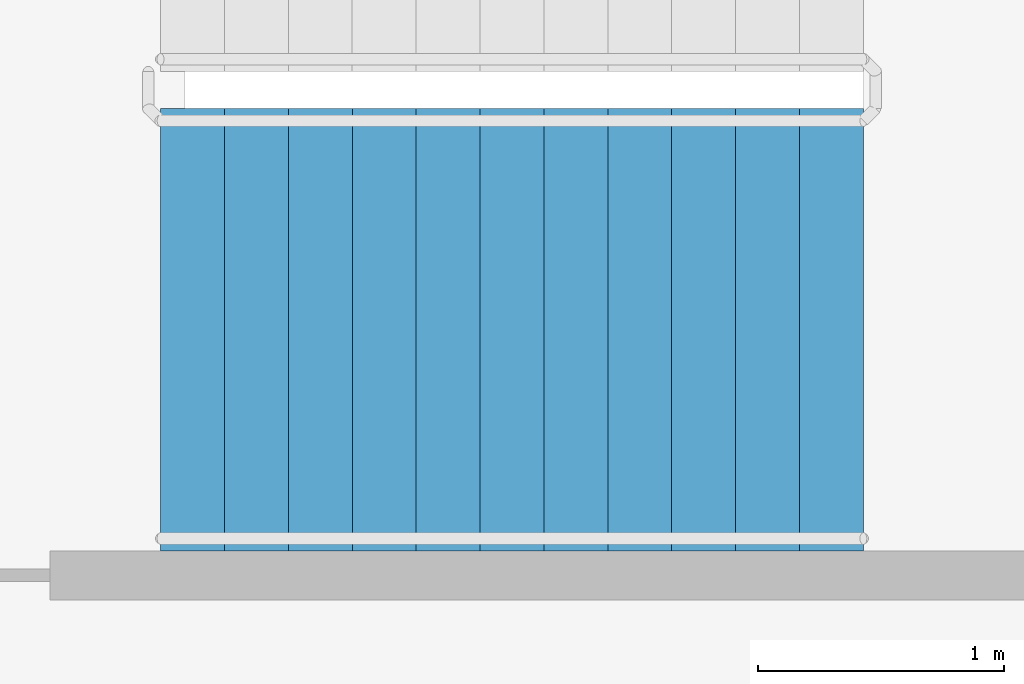
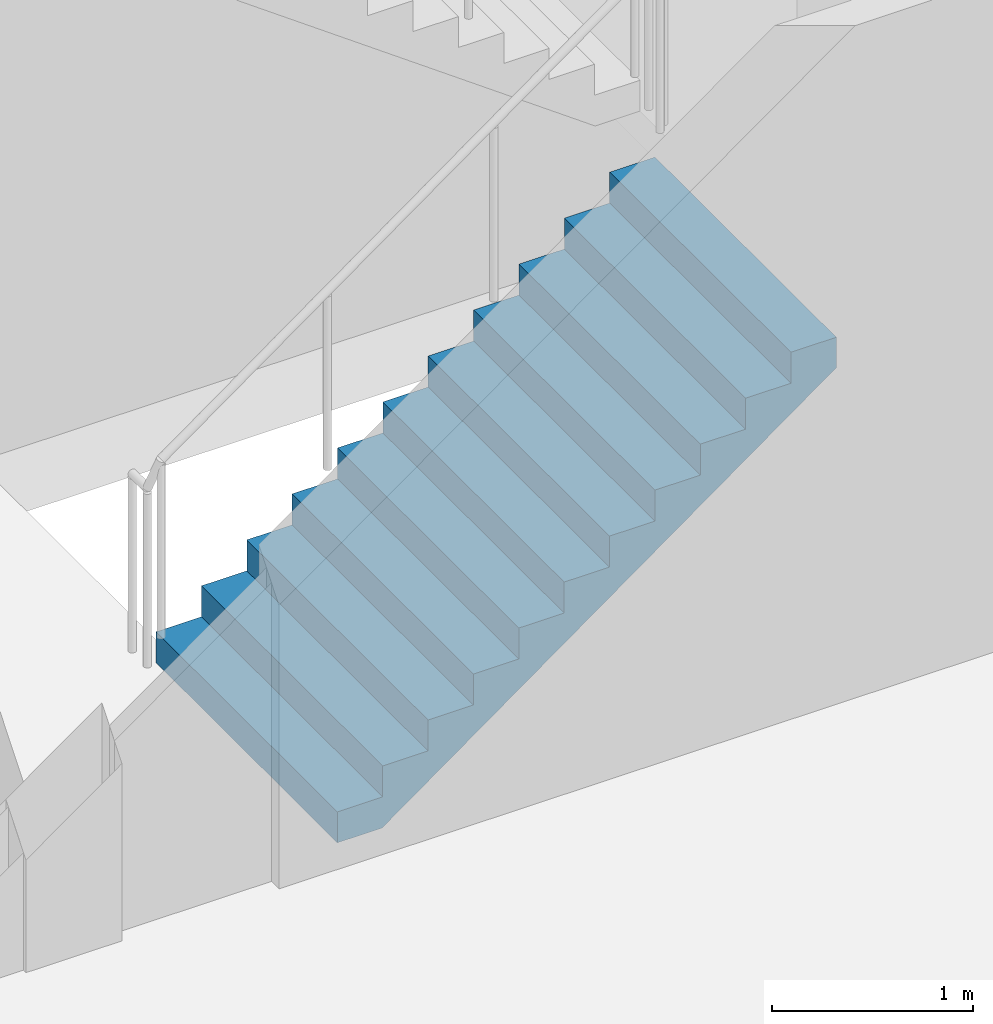
# One storey, part 29 of 49: 1 stair flight, 1 element without a shape of its own.
"""IFC4 building model written with IfcOpenShell, lengths in metres."""

from ifc_helpers import new_model, si_unit, direction, frame, origin, place, context, subcontext, project, spatial, faceted_brep, material, type_object, element, aggregate, save


model = new_model("IFC4")

# Units and contexts
model_context = context("Model", 3, precision=1e-05, world=origin(), true_north=direction((0.0, 1.0)))
body_context = subcontext(model_context, "Body", "Model", "MODEL_VIEW")
ifc_project = project(units=[si_unit("LENGTHUNIT", "METRE"), si_unit("AREAUNIT", "SQUARE_METRE"), si_unit("VOLUMEUNIT", "CUBIC_METRE"), si_unit("PLANEANGLEUNIT", "RADIAN"), si_unit("MASSUNIT", "GRAM", prefix="KILO")], contexts=[model_context])

# Site, building, storey
site_placement = place(None, origin())
site = spatial("IfcSite", under=ifc_project, at=site_placement, CompositionType="ELEMENT")
building_placement = place(site_placement, origin())
building = spatial("IfcBuilding", under=site, at=building_placement, Name="Ipe Terrace Towers", CompositionType="ELEMENT")
storey_placement = place(building_placement, frame((0.0, 0.0, 20.0)))
storey = spatial("IfcBuildingStorey", under=building, at=storey_placement, Name="L04", CompositionType="ELEMENT", Elevation=20.0)

# Stair, stair flight
ifc_material_1 = material(Name="Concrete C30/37", Category="concrete")
stair_type = type_object("IfcStairType", Name="Protected exit stair", PredefinedType="HALF_TURN_STAIR", material=ifc_material_1)
stair_placement = place(storey_placement, origin())
stair = element("IfcStair", 1, at=stair_placement, inside=storey, type_object=stair_type, Name="L04 Podium exit stair PS7", PredefinedType="HALF_TURN_STAIR")
ifc_material_2 = material(Name="Concrete C30/37", Category="concrete")
stair_flight_type = type_object("IfcStairFlightType", Name="Exit stair flight 1800", PredefinedType="STRAIGHT", material=ifc_material_2)
stair_flight_placement = place(storey_placement, frame((-66.18994140625, 2.5, 0.0), z_axis=(0.0, 0.0, 1.0), x_axis=(1.0, 0.0, 0.0)))
stair_flight = element("IfcStairFlight", 2, at=stair_flight_placement, type_object=stair_flight_type, Name="PS7 flight 1", NumberOfRisers=12, NumberOfTreads=11, PredefinedType="STRAIGHT", RiserHeight=0.1875, TreadLength=0.26, context=body_context, shape_type="Brep", body=[
    faceted_brep([(0.25634765625, -0.89990234375, 0.0), (2.860107421875, -0.89990234375, 1.877685546875), (2.860107421875, -0.89990234375, 2.0625), (2.60009765625, -0.89990234375, 2.0625), (2.60009765625, -0.89990234375, 1.875), (2.340087890625, -0.89990234375, 1.875), (2.340087890625, -0.89990234375, 1.6875), (2.080078125, -0.89990234375, 1.6875), (2.080078125, -0.89990234375, 1.5), (1.820068359375, -0.89990234375, 1.5), (1.820068359375, -0.89990234375, 1.3125), (1.56005859375, -0.89990234375, 1.3125), (1.56005859375, -0.89990234375, 1.125), (1.300048828125, -0.89990234375, 1.125), (1.300048828125, -0.89990234375, 0.9375), (1.0400390625, -0.89990234375, 0.9375), (1.0400390625, -0.89990234375, 0.75), (0.780029296875, -0.89990234375, 0.75), (0.780029296875, -0.89990234375, 0.5625), (0.52001953125, -0.89990234375, 0.5625), (0.52001953125, -0.89990234375, 0.375), (0.260009765625, -0.89990234375, 0.375), (0.260009765625, -0.89990234375, 0.1875), (0.0, -0.89990234375, 0.1875), (0.0, -0.89990234375, 0.0), (0.0, 0.89990234375, 0.0), (0.0, 0.89990234375, 0.1875), (0.260009765625, 0.89990234375, 0.1875), (0.260009765625, 0.89990234375, 0.375), (0.52001953125, 0.89990234375, 0.375), (0.52001953125, 0.89990234375, 0.5625), (0.780029296875, 0.89990234375, 0.5625), (0.780029296875, 0.89990234375, 0.75), (1.0400390625, 0.89990234375, 0.75), (1.0400390625, 0.89990234375, 0.9375), (1.300048828125, 0.89990234375, 0.9375), (1.300048828125, 0.89990234375, 1.125), (1.56005859375, 0.89990234375, 1.125), (1.56005859375, 0.89990234375, 1.3125), (1.820068359375, 0.89990234375, 1.3125), (1.820068359375, 0.89990234375, 1.5), (2.080078125, 0.89990234375, 1.5), (2.080078125, 0.89990234375, 1.6875), (2.340087890625, 0.89990234375, 1.6875), (2.340087890625, 0.89990234375, 1.875), (2.60009765625, 0.89990234375, 1.875), (2.60009765625, 0.89990234375, 2.0625), (2.860107421875, 0.89990234375, 2.0625), (2.860107421875, 0.89990234375, 1.877685546875), (0.25634765625, 0.89990234375, 0.0), (0.0, -0.300048828125, 0.1875), (0.0, -0.1201171875, 0.1875), (0.0, -0.06005859375, 0.1875), (0.0, -0.030029296875, 0.1875), (0.0, -0.010009765625, 0.1875), (0.0, 0.0, 0.1875), (0.0, 0.010009765625, 0.1875), (0.0, 0.030029296875, 0.1875), (0.0, 0.06005859375, 0.1875), (0.0, 0.1201171875, 0.1875), (0.0, 0.300048828125, 0.1875), (0.0, 0.300048828125, 0.0), (0.0, 0.1201171875, 0.0), (0.0, 0.06005859375, 0.0), (0.0, 0.030029296875, 0.0), (0.0, 0.010009765625, 0.0), (0.0, 0.0, 0.0), (0.0, -0.010009765625, 0.0), (0.0, -0.030029296875, 0.0), (0.0, -0.06005859375, 0.0), (0.0, -0.1201171875, 0.0), (0.0, -0.300048828125, 0.0), (0.260009765625, -0.300048828125, 0.1875), (0.260009765625, -0.1201171875, 0.1875), (0.260009765625, -0.06005859375, 0.1875), (0.260009765625, -0.030029296875, 0.1875), (0.260009765625, -0.010009765625, 0.1875), (0.260009765625, 0.0, 0.1875), (0.260009765625, 0.010009765625, 0.1875), (0.260009765625, 0.030029296875, 0.1875), (0.260009765625, 0.06005859375, 0.1875), (0.260009765625, 0.1201171875, 0.1875), (0.260009765625, 0.300048828125, 0.1875), (0.260009765625, -0.300048828125, 0.375), (0.260009765625, -0.1201171875, 0.375), (0.260009765625, -0.06005859375, 0.375), (0.260009765625, -0.030029296875, 0.375), (0.260009765625, -0.010009765625, 0.375), (0.260009765625, 0.0, 0.375), (0.260009765625, 0.010009765625, 0.375), (0.260009765625, 0.030029296875, 0.375), (0.260009765625, 0.06005859375, 0.375), (0.260009765625, 0.1201171875, 0.375), (0.260009765625, 0.300048828125, 0.375), (0.52001953125, -0.300048828125, 0.375), (0.52001953125, -0.1201171875, 0.375), (0.52001953125, -0.06005859375, 0.375), (0.52001953125, -0.030029296875, 0.375), (0.52001953125, -0.010009765625, 0.375), (0.52001953125, 0.0, 0.375), (0.52001953125, 0.010009765625, 0.375), (0.52001953125, 0.030029296875, 0.375), (0.52001953125, 0.06005859375, 0.375), (0.52001953125, 0.1201171875, 0.375), (0.52001953125, 0.300048828125, 0.375), (0.52001953125, -0.300048828125, 0.5625), (0.52001953125, -0.1201171875, 0.5625), (0.52001953125, -0.06005859375, 0.5625), (0.52001953125, -0.030029296875, 0.5625), (0.52001953125, -0.010009765625, 0.5625), (0.52001953125, 0.0, 0.5625), (0.52001953125, 0.010009765625, 0.5625), (0.52001953125, 0.030029296875, 0.5625), (0.52001953125, 0.06005859375, 0.5625), (0.52001953125, 0.1201171875, 0.5625), (0.52001953125, 0.300048828125, 0.5625), (0.780029296875, -0.300048828125, 0.5625), (0.780029296875, -0.1201171875, 0.5625), (0.780029296875, -0.06005859375, 0.5625), (0.780029296875, -0.030029296875, 0.5625), (0.780029296875, -0.010009765625, 0.5625), (0.780029296875, 0.0, 0.5625), (0.780029296875, 0.010009765625, 0.5625), (0.780029296875, 0.030029296875, 0.5625), (0.780029296875, 0.06005859375, 0.5625), (0.780029296875, 0.1201171875, 0.5625), (0.780029296875, 0.300048828125, 0.5625), (0.780029296875, -0.300048828125, 0.75), (0.780029296875, -0.1201171875, 0.75), (0.780029296875, -0.06005859375, 0.75), (0.780029296875, -0.030029296875, 0.75), (0.780029296875, -0.010009765625, 0.75), (0.780029296875, 0.0, 0.75), (0.780029296875, 0.010009765625, 0.75), (0.780029296875, 0.030029296875, 0.75), (0.780029296875, 0.06005859375, 0.75), (0.780029296875, 0.1201171875, 0.75), (0.780029296875, 0.300048828125, 0.75), (1.0400390625, -0.300048828125, 0.75), (1.0400390625, -0.1201171875, 0.75), (1.0400390625, -0.06005859375, 0.75), (1.0400390625, -0.030029296875, 0.75), (1.0400390625, -0.010009765625, 0.75), (1.0400390625, 0.0, 0.75), (1.0400390625, 0.010009765625, 0.75), (1.0400390625, 0.030029296875, 0.75), (1.0400390625, 0.06005859375, 0.75), (1.0400390625, 0.1201171875, 0.75), (1.0400390625, 0.300048828125, 0.75), (1.0400390625, -0.300048828125, 0.9375), (1.0400390625, -0.1201171875, 0.9375), (1.0400390625, -0.06005859375, 0.9375), (1.0400390625, -0.030029296875, 0.9375), (1.0400390625, -0.010009765625, 0.9375), (1.0400390625, 0.0, 0.9375), (1.0400390625, 0.010009765625, 0.9375), (1.0400390625, 0.030029296875, 0.9375), (1.0400390625, 0.06005859375, 0.9375), (1.0400390625, 0.1201171875, 0.9375), (1.0400390625, 0.300048828125, 0.9375), (1.300048828125, -0.300048828125, 0.9375), (1.300048828125, -0.1201171875, 0.9375), (1.300048828125, -0.06005859375, 0.9375), (1.300048828125, -0.030029296875, 0.9375), (1.300048828125, -0.010009765625, 0.9375), (1.300048828125, 0.0, 0.9375), (1.300048828125, 0.010009765625, 0.9375), (1.300048828125, 0.030029296875, 0.9375), (1.300048828125, 0.06005859375, 0.9375), (1.300048828125, 0.1201171875, 0.9375), (1.300048828125, 0.300048828125, 0.9375), (1.300048828125, -0.300048828125, 1.125), (1.300048828125, -0.1201171875, 1.125), (1.300048828125, -0.06005859375, 1.125), (1.300048828125, -0.030029296875, 1.125), (1.300048828125, -0.010009765625, 1.125), (1.300048828125, 0.0, 1.125), (1.300048828125, 0.010009765625, 1.125), (1.300048828125, 0.030029296875, 1.125), (1.300048828125, 0.06005859375, 1.125), (1.300048828125, 0.1201171875, 1.125), (1.300048828125, 0.300048828125, 1.125), (1.56005859375, -0.300048828125, 1.125), (1.56005859375, -0.1201171875, 1.125), (1.56005859375, -0.06005859375, 1.125), (1.56005859375, -0.030029296875, 1.125), (1.56005859375, -0.010009765625, 1.125), (1.56005859375, 0.0, 1.125), (1.56005859375, 0.010009765625, 1.125), (1.56005859375, 0.030029296875, 1.125), (1.56005859375, 0.06005859375, 1.125), (1.56005859375, 0.1201171875, 1.125), (1.56005859375, 0.300048828125, 1.125), (1.56005859375, -0.300048828125, 1.3125), (1.56005859375, -0.1201171875, 1.3125), (1.56005859375, -0.06005859375, 1.3125), (1.56005859375, -0.030029296875, 1.3125), (1.56005859375, -0.010009765625, 1.3125), (1.56005859375, 0.0, 1.3125), (1.56005859375, 0.010009765625, 1.3125), (1.56005859375, 0.030029296875, 1.3125), (1.56005859375, 0.06005859375, 1.3125), (1.56005859375, 0.1201171875, 1.3125), (1.56005859375, 0.300048828125, 1.3125), (1.820068359375, -0.300048828125, 1.3125), (1.820068359375, -0.1201171875, 1.3125), (1.820068359375, -0.06005859375, 1.3125), (1.820068359375, -0.030029296875, 1.3125), (1.820068359375, -0.010009765625, 1.3125), (1.820068359375, 0.0, 1.3125), (1.820068359375, 0.010009765625, 1.3125), (1.820068359375, 0.030029296875, 1.3125), (1.820068359375, 0.06005859375, 1.3125), (1.820068359375, 0.1201171875, 1.3125), (1.820068359375, 0.300048828125, 1.3125), (1.820068359375, -0.300048828125, 1.5), (1.820068359375, -0.1201171875, 1.5), (1.820068359375, -0.06005859375, 1.5), (1.820068359375, -0.030029296875, 1.5), (1.820068359375, -0.010009765625, 1.5), (1.820068359375, 0.0, 1.5), (1.820068359375, 0.010009765625, 1.5), (1.820068359375, 0.030029296875, 1.5), (1.820068359375, 0.06005859375, 1.5), (1.820068359375, 0.1201171875, 1.5), (1.820068359375, 0.300048828125, 1.5), (2.080078125, -0.300048828125, 1.5), (2.080078125, -0.1201171875, 1.5), (2.080078125, -0.06005859375, 1.5), (2.080078125, -0.030029296875, 1.5), (2.080078125, -0.010009765625, 1.5), (2.080078125, 0.0, 1.5), (2.080078125, 0.010009765625, 1.5), (2.080078125, 0.030029296875, 1.5), (2.080078125, 0.06005859375, 1.5), (2.080078125, 0.1201171875, 1.5), (2.080078125, 0.300048828125, 1.5), (2.080078125, -0.300048828125, 1.6875), (2.080078125, -0.1201171875, 1.6875), (2.080078125, -0.06005859375, 1.6875), (2.080078125, -0.030029296875, 1.6875), (2.080078125, -0.010009765625, 1.6875), (2.080078125, 0.0, 1.6875), (2.080078125, 0.010009765625, 1.6875), (2.080078125, 0.030029296875, 1.6875), (2.080078125, 0.06005859375, 1.6875), (2.080078125, 0.1201171875, 1.6875), (2.080078125, 0.300048828125, 1.6875), (2.340087890625, -0.300048828125, 1.6875), (2.340087890625, -0.1201171875, 1.6875), (2.340087890625, -0.06005859375, 1.6875), (2.340087890625, -0.030029296875, 1.6875), (2.340087890625, -0.010009765625, 1.6875), (2.340087890625, 0.0, 1.6875), (2.340087890625, 0.010009765625, 1.6875), (2.340087890625, 0.030029296875, 1.6875), (2.340087890625, 0.06005859375, 1.6875), (2.340087890625, 0.1201171875, 1.6875), (2.340087890625, 0.300048828125, 1.6875), (2.340087890625, -0.300048828125, 1.875), (2.340087890625, -0.1201171875, 1.875), (2.340087890625, -0.06005859375, 1.875), (2.340087890625, -0.030029296875, 1.875), (2.340087890625, -0.010009765625, 1.875), (2.340087890625, 0.0, 1.875), (2.340087890625, 0.010009765625, 1.875), (2.340087890625, 0.030029296875, 1.875), (2.340087890625, 0.06005859375, 1.875), (2.340087890625, 0.1201171875, 1.875), (2.340087890625, 0.300048828125, 1.875), (2.60009765625, -0.300048828125, 1.875), (2.60009765625, -0.1201171875, 1.875), (2.60009765625, -0.06005859375, 1.875), (2.60009765625, -0.030029296875, 1.875), (2.60009765625, -0.010009765625, 1.875), (2.60009765625, 0.0, 1.875), (2.60009765625, 0.010009765625, 1.875), (2.60009765625, 0.030029296875, 1.875), (2.60009765625, 0.06005859375, 1.875), (2.60009765625, 0.1201171875, 1.875), (2.60009765625, 0.300048828125, 1.875), (2.60009765625, -0.300048828125, 2.0625), (2.60009765625, -0.1201171875, 2.0625), (2.60009765625, -0.06005859375, 2.0625), (2.60009765625, -0.030029296875, 2.0625), (2.60009765625, -0.010009765625, 2.0625), (2.60009765625, 0.0, 2.0625), (2.60009765625, 0.010009765625, 2.0625), (2.60009765625, 0.030029296875, 2.0625), (2.60009765625, 0.06005859375, 2.0625), (2.60009765625, 0.1201171875, 2.0625), (2.60009765625, 0.300048828125, 2.0625), (2.860107421875, -0.300048828125, 2.0625), (2.860107421875, -0.1201171875, 2.0625), (2.860107421875, -0.06005859375, 2.0625), (2.860107421875, -0.030029296875, 2.0625), (2.860107421875, -0.010009765625, 2.0625), (2.860107421875, 0.0, 2.0625), (2.860107421875, 0.010009765625, 2.0625), (2.860107421875, 0.030029296875, 2.0625), (2.860107421875, 0.06005859375, 2.0625), (2.860107421875, 0.1201171875, 2.0625), (2.860107421875, 0.300048828125, 2.0625), (2.860107421875, -0.300048828125, 1.877685546875), (2.860107421875, -0.1201171875, 1.877685546875), (2.860107421875, -0.06005859375, 1.877685546875), (2.860107421875, -0.030029296875, 1.877685546875), (2.860107421875, -0.010009765625, 1.877685546875), (2.860107421875, 0.0, 1.877685546875), (2.860107421875, 0.010009765625, 1.877685546875), (2.860107421875, 0.030029296875, 1.877685546875), (2.860107421875, 0.06005859375, 1.877685546875), (2.860107421875, 0.1201171875, 1.877685546875), (2.860107421875, 0.300048828125, 1.877685546875), (0.25634765625, -0.300048828125, 0.0), (0.25634765625, -0.1201171875, 0.0), (0.25634765625, -0.06005859375, 0.0), (0.25634765625, -0.030029296875, 0.0), (0.25634765625, -0.010009765625, 0.0), (0.25634765625, 0.0, 0.0), (0.25634765625, 0.010009765625, 0.0), (0.25634765625, 0.030029296875, 0.0), (0.25634765625, 0.06005859375, 0.0), (0.25634765625, 0.1201171875, 0.0), (0.25634765625, 0.300048828125, 0.0)], [[[0, 1, 2, 3, 4, 5, 6, 7, 8, 9, 10, 11, 12, 13, 14, 15, 16, 17, 18, 19, 20, 21, 22, 23, 24]], [[25, 26, 27, 28, 29, 30, 31, 32, 33, 34, 35, 36, 37, 38, 39, 40, 41, 42, 43, 44, 45, 46, 47, 48, 49]], [[23, 50, 51, 52, 53, 54, 55, 56, 57, 58, 59, 60, 26, 25, 61, 62, 63, 64, 65, 66, 67, 68, 69, 70, 71, 24]], [[22, 72, 73, 74, 75, 76, 77, 78, 79, 80, 81, 82, 27, 26, 60, 59, 58, 57, 56, 55, 54, 53, 52, 51, 50, 23]], [[21, 83, 84, 85, 86, 87, 88, 89, 90, 91, 92, 93, 28, 27, 82, 81, 80, 79, 78, 77, 76, 75, 74, 73, 72, 22]], [[20, 94, 95, 96, 97, 98, 99, 100, 101, 102, 103, 104, 29, 28, 93, 92, 91, 90, 89, 88, 87, 86, 85, 84, 83, 21]], [[19, 105, 106, 107, 108, 109, 110, 111, 112, 113, 114, 115, 30, 29, 104, 103, 102, 101, 100, 99, 98, 97, 96, 95, 94, 20]], [[18, 116, 117, 118, 119, 120, 121, 122, 123, 124, 125, 126, 31, 30, 115, 114, 113, 112, 111, 110, 109, 108, 107, 106, 105, 19]], [[17, 127, 128, 129, 130, 131, 132, 133, 134, 135, 136, 137, 32, 31, 126, 125, 124, 123, 122, 121, 120, 119, 118, 117, 116, 18]], [[16, 138, 139, 140, 141, 142, 143, 144, 145, 146, 147, 148, 33, 32, 137, 136, 135, 134, 133, 132, 131, 130, 129, 128, 127, 17]], [[15, 149, 150, 151, 152, 153, 154, 155, 156, 157, 158, 159, 34, 33, 148, 147, 146, 145, 144, 143, 142, 141, 140, 139, 138, 16]], [[14, 160, 161, 162, 163, 164, 165, 166, 167, 168, 169, 170, 35, 34, 159, 158, 157, 156, 155, 154, 153, 152, 151, 150, 149, 15]], [[13, 171, 172, 173, 174, 175, 176, 177, 178, 179, 180, 181, 36, 35, 170, 169, 168, 167, 166, 165, 164, 163, 162, 161, 160, 14]], [[12, 182, 183, 184, 185, 186, 187, 188, 189, 190, 191, 192, 37, 36, 181, 180, 179, 178, 177, 176, 175, 174, 173, 172, 171, 13]], [[11, 193, 194, 195, 196, 197, 198, 199, 200, 201, 202, 203, 38, 37, 192, 191, 190, 189, 188, 187, 186, 185, 184, 183, 182, 12]], [[10, 204, 205, 206, 207, 208, 209, 210, 211, 212, 213, 214, 39, 38, 203, 202, 201, 200, 199, 198, 197, 196, 195, 194, 193, 11]], [[9, 215, 216, 217, 218, 219, 220, 221, 222, 223, 224, 225, 40, 39, 214, 213, 212, 211, 210, 209, 208, 207, 206, 205, 204, 10]], [[8, 226, 227, 228, 229, 230, 231, 232, 233, 234, 235, 236, 41, 40, 225, 224, 223, 222, 221, 220, 219, 218, 217, 216, 215, 9]], [[7, 237, 238, 239, 240, 241, 242, 243, 244, 245, 246, 247, 42, 41, 236, 235, 234, 233, 232, 231, 230, 229, 228, 227, 226, 8]], [[6, 248, 249, 250, 251, 252, 253, 254, 255, 256, 257, 258, 43, 42, 247, 246, 245, 244, 243, 242, 241, 240, 239, 238, 237, 7]], [[5, 259, 260, 261, 262, 263, 264, 265, 266, 267, 268, 269, 44, 43, 258, 257, 256, 255, 254, 253, 252, 251, 250, 249, 248, 6]], [[4, 270, 271, 272, 273, 274, 275, 276, 277, 278, 279, 280, 45, 44, 269, 268, 267, 266, 265, 264, 263, 262, 261, 260, 259, 5]], [[3, 281, 282, 283, 284, 285, 286, 287, 288, 289, 290, 291, 46, 45, 280, 279, 278, 277, 276, 275, 274, 273, 272, 271, 270, 4]], [[2, 292, 293, 294, 295, 296, 297, 298, 299, 300, 301, 302, 47, 46, 291, 290, 289, 288, 287, 286, 285, 284, 283, 282, 281, 3]], [[1, 303, 304, 305, 306, 307, 308, 309, 310, 311, 312, 313, 48, 47, 302, 301, 300, 299, 298, 297, 296, 295, 294, 293, 292, 2]], [[0, 314, 315, 316, 317, 318, 319, 320, 321, 322, 323, 324, 49, 48, 313, 312, 311, 310, 309, 308, 307, 306, 305, 304, 303, 1]], [[24, 71, 70, 69, 68, 67, 66, 65, 64, 63, 62, 61, 25, 49, 324, 323, 322, 321, 320, 319, 318, 317, 316, 315, 314, 0]]]),
])
aggregate(stair, [stair_flight])

save(model, "model.ifc")
